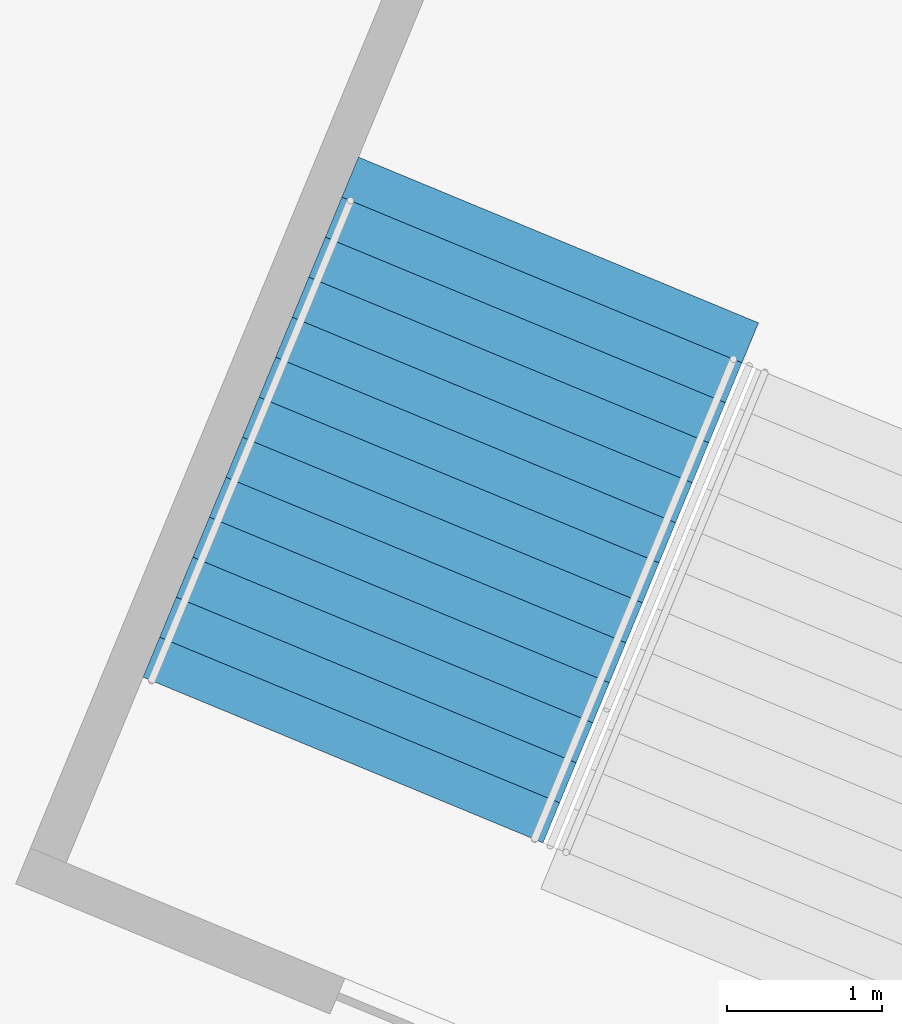
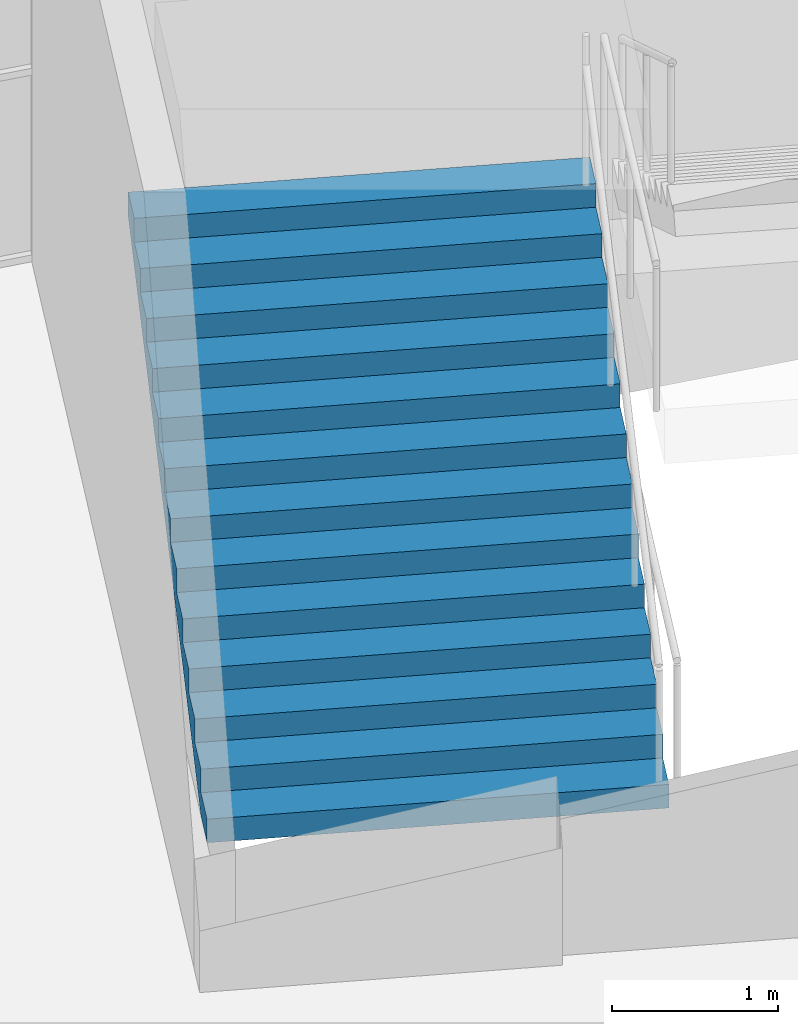
# One storey, part 229 of 249: 1 stair flight, 1 element without a shape of its own.
"""IFC4 building model written with IfcOpenShell, lengths in metres."""

from ifc_helpers import new_model, si_unit, direction, frame, origin, place, context, subcontext, project, spatial, faceted_brep, material, type_object, element, aggregate, save


model = new_model("IFC4")

# Units and contexts
model_context = context("Model", 3, precision=1e-05, world=origin(), true_north=direction((0.0, 1.0)))
body_context = subcontext(model_context, "Body", "Model", "MODEL_VIEW")
ifc_project = project(units=[si_unit("LENGTHUNIT", "METRE"), si_unit("AREAUNIT", "SQUARE_METRE"), si_unit("VOLUMEUNIT", "CUBIC_METRE"), si_unit("PLANEANGLEUNIT", "RADIAN"), si_unit("MASSUNIT", "GRAM", prefix="KILO")], contexts=[model_context])

# Site, building, storey
site_placement = place(None, origin())
site = spatial("IfcSite", under=ifc_project, at=site_placement, CompositionType="ELEMENT")
building_placement = place(site_placement, origin())
building = spatial("IfcBuilding", under=site, at=building_placement, Name="Ogive Plaza Stadium", CompositionType="ELEMENT")
storey_placement = place(building_placement, frame((0.0, 0.0, 13.5)))
storey = spatial("IfcBuildingStorey", under=building, at=storey_placement, Name="L03", CompositionType="ELEMENT", Elevation=13.5)

# Stair, stair flight
ifc_material_1 = material(Name="Concrete C40/50", Category="concrete")
stair_type = type_object("IfcStairType", Name="Exit stair", PredefinedType="STRAIGHT_RUN_STAIR", material=ifc_material_1)
stair_placement = place(storey_placement, origin())
stair = element("IfcStair", 1, at=stair_placement, inside=storey, type_object=stair_type, Name="Exit stair ST38B L03 to L04", PredefinedType="STRAIGHT_RUN_STAIR")
ifc_material_2 = material(Name="Concrete C40/50", Category="concrete")
stair_flight_type = type_object("IfcStairFlightType", Name="Exit stair flight", PredefinedType="STRAIGHT", material=ifc_material_2)
stair_flight_placement = place(storey_placement, frame((46.118408203125, 93.319580078125, 0.0), z_axis=(0.0, 0.0, 1.0), x_axis=(0.382683432365, 0.923879532511, 0.0)))
stair_flight = element("IfcStairFlight", 2, at=stair_flight_placement, type_object=stair_flight_type, Name="ST38B flight 1", NumberOfRisers=13, NumberOfTreads=12, PredefinedType="STRAIGHT", RiserHeight=0.173076923, TreadLength=0.28, context=body_context, shape_type="Brep", body=[
    faceted_brep([(0.28515625, -1.39990234375, 0.0), (3.639892578125, -1.39990234375, 2.07373046875), (3.639892578125, -1.39990234375, 2.25), (3.360107421875, -1.39990234375, 2.25), (3.360107421875, -1.39990234375, 2.076904296875), (3.080078125, -1.39990234375, 2.076904296875), (3.080078125, -1.39990234375, 1.90380859375), (2.800048828125, -1.39990234375, 1.90380859375), (2.800048828125, -1.39990234375, 1.730712890625), (2.52001953125, -1.39990234375, 1.730712890625), (2.52001953125, -1.39990234375, 1.5576171875), (2.239990234375, -1.39990234375, 1.5576171875), (2.239990234375, -1.39990234375, 1.384521484375), (1.9599609375, -1.39990234375, 1.384521484375), (1.9599609375, -1.39990234375, 1.21142578125), (1.679931640625, -1.39990234375, 1.21142578125), (1.679931640625, -1.39990234375, 1.03857421875), (1.39990234375, -1.39990234375, 1.03857421875), (1.39990234375, -1.39990234375, 0.865478515625), (1.1201171875, -1.39990234375, 0.865478515625), (1.1201171875, -1.39990234375, 0.6923828125), (0.840087890625, -1.39990234375, 0.6923828125), (0.840087890625, -1.39990234375, 0.519287109375), (0.56005859375, -1.39990234375, 0.519287109375), (0.56005859375, -1.39990234375, 0.34619140625), (0.280029296875, -1.39990234375, 0.34619140625), (0.280029296875, -1.39990234375, 0.173095703125), (0.0, -1.39990234375, 0.173095703125), (0.0, -1.39990234375, 0.0), (0.0, 1.39990234375, 0.0), (0.0, 1.39990234375, 0.173095703125), (0.280029296875, 1.39990234375, 0.173095703125), (0.280029296875, 1.39990234375, 0.34619140625), (0.56005859375, 1.39990234375, 0.34619140625), (0.56005859375, 1.39990234375, 0.519287109375), (0.840087890625, 1.39990234375, 0.519287109375), (0.840087890625, 1.39990234375, 0.6923828125), (1.1201171875, 1.39990234375, 0.6923828125), (1.1201171875, 1.39990234375, 0.865478515625), (1.39990234375, 1.39990234375, 0.865478515625), (1.39990234375, 1.39990234375, 1.03857421875), (1.679931640625, 1.39990234375, 1.03857421875), (1.679931640625, 1.39990234375, 1.21142578125), (1.9599609375, 1.39990234375, 1.21142578125), (1.9599609375, 1.39990234375, 1.384521484375), (2.239990234375, 1.39990234375, 1.384521484375), (2.239990234375, 1.39990234375, 1.5576171875), (2.52001953125, 1.39990234375, 1.5576171875), (2.52001953125, 1.39990234375, 1.730712890625), (2.800048828125, 1.39990234375, 1.730712890625), (2.800048828125, 1.39990234375, 1.90380859375), (3.080078125, 1.39990234375, 1.90380859375), (3.080078125, 1.39990234375, 2.076904296875), (3.360107421875, 1.39990234375, 2.076904296875), (3.360107421875, 1.39990234375, 2.25), (3.639892578125, 1.39990234375, 2.25), (3.639892578125, 1.39990234375, 2.07373046875), (0.28515625, 1.39990234375, 0.0), (0.28515625, -1.0888671875, 0.0), (3.639892578125, -1.0888671875, 2.07373046875), (0.28515625, -0.77783203125, 0.0), (3.639892578125, -0.77783203125, 2.07373046875), (0.28515625, -0.466796875, 0.0), (3.639892578125, -0.466796875, 2.07373046875), (0.28515625, -0.155517578125, 0.0), (3.639892578125, -0.155517578125, 2.07373046875), (0.28515625, 0.155517578125, 0.0), (3.639892578125, 0.155517578125, 2.07373046875), (0.28515625, 0.466796875, 0.0), (3.639892578125, 0.466796875, 2.07373046875), (0.28515625, 0.77783203125, 0.0), (3.639892578125, 0.77783203125, 2.07373046875), (0.28515625, 1.0888671875, 0.0), (3.639892578125, 1.0888671875, 2.07373046875), (3.639892578125, -1.0888671875, 2.25), (3.639892578125, -0.77783203125, 2.25), (3.639892578125, -0.466796875, 2.25), (3.639892578125, -0.155517578125, 2.25), (3.639892578125, 0.155517578125, 2.25), (3.639892578125, 0.466796875, 2.25), (3.639892578125, 0.77783203125, 2.25), (3.639892578125, 1.0888671875, 2.25), (3.360107421875, -1.0888671875, 2.25), (3.360107421875, -0.77783203125, 2.25), (3.360107421875, -0.466796875, 2.25), (3.360107421875, -0.155517578125, 2.25), (3.360107421875, 0.155517578125, 2.25), (3.360107421875, 0.466796875, 2.25), (3.360107421875, 0.77783203125, 2.25), (3.360107421875, 1.0888671875, 2.25), (3.360107421875, -1.0888671875, 2.076904296875), (3.360107421875, -0.77783203125, 2.076904296875), (3.360107421875, -0.466796875, 2.076904296875), (3.360107421875, -0.155517578125, 2.076904296875), (3.360107421875, 0.155517578125, 2.076904296875), (3.360107421875, 0.466796875, 2.076904296875), (3.360107421875, 0.77783203125, 2.076904296875), (3.360107421875, 1.0888671875, 2.076904296875), (3.080078125, -1.0888671875, 2.076904296875), (3.080078125, -0.77783203125, 2.076904296875), (3.080078125, -0.466796875, 2.076904296875), (3.080078125, -0.155517578125, 2.076904296875), (3.080078125, 0.155517578125, 2.076904296875), (3.080078125, 0.466796875, 2.076904296875), (3.080078125, 0.77783203125, 2.076904296875), (3.080078125, 1.0888671875, 2.076904296875), (3.080078125, -1.0888671875, 1.90380859375), (3.080078125, -0.77783203125, 1.90380859375), (3.080078125, -0.466796875, 1.90380859375), (3.080078125, -0.155517578125, 1.90380859375), (3.080078125, 0.155517578125, 1.90380859375), (3.080078125, 0.466796875, 1.90380859375), (3.080078125, 0.77783203125, 1.90380859375), (3.080078125, 1.0888671875, 1.90380859375), (2.800048828125, -1.0888671875, 1.90380859375), (2.800048828125, -0.77783203125, 1.90380859375), (2.800048828125, -0.466796875, 1.90380859375), (2.800048828125, -0.155517578125, 1.90380859375), (2.800048828125, 0.155517578125, 1.90380859375), (2.800048828125, 0.466796875, 1.90380859375), (2.800048828125, 0.77783203125, 1.90380859375), (2.800048828125, 1.0888671875, 1.90380859375), (2.800048828125, -1.0888671875, 1.730712890625), (2.800048828125, -0.77783203125, 1.730712890625), (2.800048828125, -0.466796875, 1.730712890625), (2.800048828125, -0.155517578125, 1.730712890625), (2.800048828125, 0.155517578125, 1.730712890625), (2.800048828125, 0.466796875, 1.730712890625), (2.800048828125, 0.77783203125, 1.730712890625), (2.800048828125, 1.0888671875, 1.730712890625), (2.52001953125, -1.0888671875, 1.730712890625), (2.52001953125, -0.77783203125, 1.730712890625), (2.52001953125, -0.466796875, 1.730712890625), (2.52001953125, -0.155517578125, 1.730712890625), (2.52001953125, 0.155517578125, 1.730712890625), (2.52001953125, 0.466796875, 1.730712890625), (2.52001953125, 0.77783203125, 1.730712890625), (2.52001953125, 1.0888671875, 1.730712890625), (2.52001953125, -1.0888671875, 1.5576171875), (2.52001953125, -0.77783203125, 1.5576171875), (2.52001953125, -0.466796875, 1.5576171875), (2.52001953125, -0.155517578125, 1.5576171875), (2.52001953125, 0.155517578125, 1.5576171875), (2.52001953125, 0.466796875, 1.5576171875), (2.52001953125, 0.77783203125, 1.5576171875), (2.52001953125, 1.0888671875, 1.5576171875), (2.239990234375, -1.0888671875, 1.5576171875), (2.239990234375, -0.77783203125, 1.5576171875), (2.239990234375, -0.466796875, 1.5576171875), (2.239990234375, -0.155517578125, 1.5576171875), (2.239990234375, 0.155517578125, 1.5576171875), (2.239990234375, 0.466796875, 1.5576171875), (2.239990234375, 0.77783203125, 1.5576171875), (2.239990234375, 1.0888671875, 1.5576171875), (2.239990234375, -1.0888671875, 1.384521484375), (2.239990234375, -0.77783203125, 1.384521484375), (2.239990234375, -0.466796875, 1.384521484375), (2.239990234375, -0.155517578125, 1.384521484375), (2.239990234375, 0.155517578125, 1.384521484375), (2.239990234375, 0.466796875, 1.384521484375), (2.239990234375, 0.77783203125, 1.384521484375), (2.239990234375, 1.0888671875, 1.384521484375), (1.9599609375, -1.0888671875, 1.384521484375), (1.9599609375, -0.77783203125, 1.384521484375), (1.9599609375, -0.466796875, 1.384521484375), (1.9599609375, -0.155517578125, 1.384521484375), (1.9599609375, 0.155517578125, 1.384521484375), (1.9599609375, 0.466796875, 1.384521484375), (1.9599609375, 0.77783203125, 1.384521484375), (1.9599609375, 1.0888671875, 1.384521484375), (1.9599609375, -1.0888671875, 1.21142578125), (1.9599609375, -0.77783203125, 1.21142578125), (1.9599609375, -0.466796875, 1.21142578125), (1.9599609375, -0.155517578125, 1.21142578125), (1.9599609375, 0.155517578125, 1.21142578125), (1.9599609375, 0.466796875, 1.21142578125), (1.9599609375, 0.77783203125, 1.21142578125), (1.9599609375, 1.0888671875, 1.21142578125), (1.679931640625, -1.0888671875, 1.21142578125), (1.679931640625, -0.77783203125, 1.21142578125), (1.679931640625, -0.466796875, 1.21142578125), (1.679931640625, -0.155517578125, 1.21142578125), (1.679931640625, 0.155517578125, 1.21142578125), (1.679931640625, 0.466796875, 1.21142578125), (1.679931640625, 0.77783203125, 1.21142578125), (1.679931640625, 1.0888671875, 1.21142578125), (1.679931640625, -1.0888671875, 1.03857421875), (1.679931640625, -0.77783203125, 1.03857421875), (1.679931640625, -0.466796875, 1.03857421875), (1.679931640625, -0.155517578125, 1.03857421875), (1.679931640625, 0.155517578125, 1.03857421875), (1.679931640625, 0.466796875, 1.03857421875), (1.679931640625, 0.77783203125, 1.03857421875), (1.679931640625, 1.0888671875, 1.03857421875), (1.39990234375, -1.0888671875, 1.03857421875), (1.39990234375, -0.77783203125, 1.03857421875), (1.39990234375, -0.466796875, 1.03857421875), (1.39990234375, -0.155517578125, 1.03857421875), (1.39990234375, 0.155517578125, 1.03857421875), (1.39990234375, 0.466796875, 1.03857421875), (1.39990234375, 0.77783203125, 1.03857421875), (1.39990234375, 1.0888671875, 1.03857421875), (1.39990234375, -1.0888671875, 0.865478515625), (1.39990234375, -0.77783203125, 0.865478515625), (1.39990234375, -0.466796875, 0.865478515625), (1.39990234375, -0.155517578125, 0.865478515625), (1.39990234375, 0.155517578125, 0.865478515625), (1.39990234375, 0.466796875, 0.865478515625), (1.39990234375, 0.77783203125, 0.865478515625), (1.39990234375, 1.0888671875, 0.865478515625), (1.1201171875, -1.0888671875, 0.865478515625), (1.1201171875, -0.77783203125, 0.865478515625), (1.1201171875, -0.466796875, 0.865478515625), (1.1201171875, -0.155517578125, 0.865478515625), (1.1201171875, 0.155517578125, 0.865478515625), (1.1201171875, 0.466796875, 0.865478515625), (1.1201171875, 0.77783203125, 0.865478515625), (1.1201171875, 1.0888671875, 0.865478515625), (1.1201171875, -1.0888671875, 0.6923828125), (1.1201171875, -0.77783203125, 0.6923828125), (1.1201171875, -0.466796875, 0.6923828125), (1.1201171875, -0.155517578125, 0.6923828125), (1.1201171875, 0.155517578125, 0.6923828125), (1.1201171875, 0.466796875, 0.6923828125), (1.1201171875, 0.77783203125, 0.6923828125), (1.1201171875, 1.0888671875, 0.6923828125), (0.840087890625, -1.0888671875, 0.6923828125), (0.840087890625, -0.77783203125, 0.6923828125), (0.840087890625, -0.466796875, 0.6923828125), (0.840087890625, -0.155517578125, 0.6923828125), (0.840087890625, 0.155517578125, 0.6923828125), (0.840087890625, 0.466796875, 0.6923828125), (0.840087890625, 0.77783203125, 0.6923828125), (0.840087890625, 1.0888671875, 0.6923828125), (0.840087890625, -1.0888671875, 0.519287109375), (0.840087890625, -0.77783203125, 0.519287109375), (0.840087890625, -0.466796875, 0.519287109375), (0.840087890625, -0.155517578125, 0.519287109375), (0.840087890625, 0.155517578125, 0.519287109375), (0.840087890625, 0.466796875, 0.519287109375), (0.840087890625, 0.77783203125, 0.519287109375), (0.840087890625, 1.0888671875, 0.519287109375), (0.56005859375, -1.0888671875, 0.519287109375), (0.56005859375, -0.77783203125, 0.519287109375), (0.56005859375, -0.466796875, 0.519287109375), (0.56005859375, -0.155517578125, 0.519287109375), (0.56005859375, 0.155517578125, 0.519287109375), (0.56005859375, 0.466796875, 0.519287109375), (0.56005859375, 0.77783203125, 0.519287109375), (0.56005859375, 1.0888671875, 0.519287109375), (0.56005859375, -1.0888671875, 0.34619140625), (0.56005859375, -0.77783203125, 0.34619140625), (0.56005859375, -0.466796875, 0.34619140625), (0.56005859375, -0.155517578125, 0.34619140625), (0.56005859375, 0.155517578125, 0.34619140625), (0.56005859375, 0.466796875, 0.34619140625), (0.56005859375, 0.77783203125, 0.34619140625), (0.56005859375, 1.0888671875, 0.34619140625), (0.280029296875, -1.0888671875, 0.34619140625), (0.280029296875, -0.77783203125, 0.34619140625), (0.280029296875, -0.466796875, 0.34619140625), (0.280029296875, -0.155517578125, 0.34619140625), (0.280029296875, 0.155517578125, 0.34619140625), (0.280029296875, 0.466796875, 0.34619140625), (0.280029296875, 0.77783203125, 0.34619140625), (0.280029296875, 1.0888671875, 0.34619140625), (0.280029296875, -1.0888671875, 0.173095703125), (0.280029296875, -0.77783203125, 0.173095703125), (0.280029296875, -0.466796875, 0.173095703125), (0.280029296875, -0.155517578125, 0.173095703125), (0.280029296875, 0.155517578125, 0.173095703125), (0.280029296875, 0.466796875, 0.173095703125), (0.280029296875, 0.77783203125, 0.173095703125), (0.280029296875, 1.0888671875, 0.173095703125), (0.0, -1.0888671875, 0.173095703125), (0.0, -0.77783203125, 0.173095703125), (0.0, -0.466796875, 0.173095703125), (0.0, -0.155517578125, 0.173095703125), (0.0, 0.155517578125, 0.173095703125), (0.0, 0.466796875, 0.173095703125), (0.0, 0.77783203125, 0.173095703125), (0.0, 1.0888671875, 0.173095703125), (0.0, -1.0888671875, 0.0), (0.0, -0.77783203125, 0.0), (0.0, -0.466796875, 0.0), (0.0, -0.155517578125, 0.0), (0.0, 0.155517578125, 0.0), (0.0, 0.466796875, 0.0), (0.0, 0.77783203125, 0.0), (0.0, 1.0888671875, 0.0)], [[[0, 1, 2, 3, 4, 5, 6, 7, 8, 9, 10, 11, 12, 13, 14, 15, 16, 17, 18, 19, 20, 21, 22, 23, 24, 25, 26, 27, 28]], [[29, 30, 31, 32, 33, 34, 35, 36, 37, 38, 39, 40, 41, 42, 43, 44, 45, 46, 47, 48, 49, 50, 51, 52, 53, 54, 55, 56, 57]], [[0, 58, 59, 1]], [[58, 60, 61, 59]], [[60, 62, 63, 61]], [[62, 64, 65, 63]], [[64, 66, 67, 65]], [[66, 68, 69, 67]], [[68, 70, 71, 69]], [[70, 72, 73, 71]], [[72, 57, 56, 73]], [[1, 59, 74, 2]], [[59, 61, 75, 74]], [[61, 63, 76, 75]], [[63, 65, 77, 76]], [[65, 67, 78, 77]], [[67, 69, 79, 78]], [[69, 71, 80, 79]], [[71, 73, 81, 80]], [[73, 56, 55, 81]], [[2, 74, 82, 3]], [[74, 75, 83, 82]], [[75, 76, 84, 83]], [[76, 77, 85, 84]], [[77, 78, 86, 85]], [[78, 79, 87, 86]], [[79, 80, 88, 87]], [[80, 81, 89, 88]], [[81, 55, 54, 89]], [[3, 82, 90, 4]], [[82, 83, 91, 90]], [[83, 84, 92, 91]], [[84, 85, 93, 92]], [[85, 86, 94, 93]], [[86, 87, 95, 94]], [[87, 88, 96, 95]], [[88, 89, 97, 96]], [[89, 54, 53, 97]], [[4, 90, 98, 5]], [[90, 91, 99, 98]], [[91, 92, 100, 99]], [[92, 93, 101, 100]], [[93, 94, 102, 101]], [[94, 95, 103, 102]], [[95, 96, 104, 103]], [[96, 97, 105, 104]], [[97, 53, 52, 105]], [[5, 98, 106, 6]], [[98, 99, 107, 106]], [[99, 100, 108, 107]], [[100, 101, 109, 108]], [[101, 102, 110, 109]], [[102, 103, 111, 110]], [[103, 104, 112, 111]], [[104, 105, 113, 112]], [[105, 52, 51, 113]], [[6, 106, 114, 7]], [[106, 107, 115, 114]], [[107, 108, 116, 115]], [[108, 109, 117, 116]], [[109, 110, 118, 117]], [[110, 111, 119, 118]], [[111, 112, 120, 119]], [[112, 113, 121, 120]], [[113, 51, 50, 121]], [[7, 114, 122, 8]], [[114, 115, 123, 122]], [[115, 116, 124, 123]], [[116, 117, 125, 124]], [[117, 118, 126, 125]], [[118, 119, 127, 126]], [[119, 120, 128, 127]], [[120, 121, 129, 128]], [[121, 50, 49, 129]], [[8, 122, 130, 9]], [[122, 123, 131, 130]], [[123, 124, 132, 131]], [[124, 125, 133, 132]], [[125, 126, 134, 133]], [[126, 127, 135, 134]], [[127, 128, 136, 135]], [[128, 129, 137, 136]], [[129, 49, 48, 137]], [[9, 130, 138, 10]], [[130, 131, 139, 138]], [[131, 132, 140, 139]], [[132, 133, 141, 140]], [[133, 134, 142, 141]], [[134, 135, 143, 142]], [[135, 136, 144, 143]], [[136, 137, 145, 144]], [[137, 48, 47, 145]], [[10, 138, 146, 11]], [[138, 139, 147, 146]], [[139, 140, 148, 147]], [[140, 141, 149, 148]], [[141, 142, 150, 149]], [[142, 143, 151, 150]], [[143, 144, 152, 151]], [[144, 145, 153, 152]], [[145, 47, 46, 153]], [[11, 146, 154, 12]], [[146, 147, 155, 154]], [[147, 148, 156, 155]], [[148, 149, 157, 156]], [[149, 150, 158, 157]], [[150, 151, 159, 158]], [[151, 152, 160, 159]], [[152, 153, 161, 160]], [[153, 46, 45, 161]], [[12, 154, 162, 13]], [[154, 155, 163, 162]], [[155, 156, 164, 163]], [[156, 157, 165, 164]], [[157, 158, 166, 165]], [[158, 159, 167, 166]], [[159, 160, 168, 167]], [[160, 161, 169, 168]], [[161, 45, 44, 169]], [[13, 162, 170, 14]], [[162, 163, 171, 170]], [[163, 164, 172, 171]], [[164, 165, 173, 172]], [[165, 166, 174, 173]], [[166, 167, 175, 174]], [[167, 168, 176, 175]], [[168, 169, 177, 176]], [[169, 44, 43, 177]], [[14, 170, 178, 15]], [[170, 171, 179, 178]], [[171, 172, 180, 179]], [[172, 173, 181, 180]], [[173, 174, 182, 181]], [[174, 175, 183, 182]], [[175, 176, 184, 183]], [[176, 177, 185, 184]], [[177, 43, 42, 185]], [[15, 178, 186, 16]], [[178, 179, 187, 186]], [[179, 180, 188, 187]], [[180, 181, 189, 188]], [[181, 182, 190, 189]], [[182, 183, 191, 190]], [[183, 184, 192, 191]], [[184, 185, 193, 192]], [[185, 42, 41, 193]], [[16, 186, 194, 17]], [[186, 187, 195, 194]], [[187, 188, 196, 195]], [[188, 189, 197, 196]], [[189, 190, 198, 197]], [[190, 191, 199, 198]], [[191, 192, 200, 199]], [[192, 193, 201, 200]], [[193, 41, 40, 201]], [[17, 194, 202, 18]], [[194, 195, 203, 202]], [[195, 196, 204, 203]], [[196, 197, 205, 204]], [[197, 198, 206, 205]], [[198, 199, 207, 206]], [[199, 200, 208, 207]], [[200, 201, 209, 208]], [[201, 40, 39, 209]], [[18, 202, 210, 19]], [[202, 203, 211, 210]], [[203, 204, 212, 211]], [[204, 205, 213, 212]], [[205, 206, 214, 213]], [[206, 207, 215, 214]], [[207, 208, 216, 215]], [[208, 209, 217, 216]], [[209, 39, 38, 217]], [[19, 210, 218, 20]], [[210, 211, 219, 218]], [[211, 212, 220, 219]], [[212, 213, 221, 220]], [[213, 214, 222, 221]], [[214, 215, 223, 222]], [[215, 216, 224, 223]], [[216, 217, 225, 224]], [[217, 38, 37, 225]], [[20, 218, 226, 21]], [[218, 219, 227, 226]], [[219, 220, 228, 227]], [[220, 221, 229, 228]], [[221, 222, 230, 229]], [[222, 223, 231, 230]], [[223, 224, 232, 231]], [[224, 225, 233, 232]], [[225, 37, 36, 233]], [[21, 226, 234, 22]], [[226, 227, 235, 234]], [[227, 228, 236, 235]], [[228, 229, 237, 236]], [[229, 230, 238, 237]], [[230, 231, 239, 238]], [[231, 232, 240, 239]], [[232, 233, 241, 240]], [[233, 36, 35, 241]], [[22, 234, 242, 23]], [[234, 235, 243, 242]], [[235, 236, 244, 243]], [[236, 237, 245, 244]], [[237, 238, 246, 245]], [[238, 239, 247, 246]], [[239, 240, 248, 247]], [[240, 241, 249, 248]], [[241, 35, 34, 249]], [[23, 242, 250, 24]], [[242, 243, 251, 250]], [[243, 244, 252, 251]], [[244, 245, 253, 252]], [[245, 246, 254, 253]], [[246, 247, 255, 254]], [[247, 248, 256, 255]], [[248, 249, 257, 256]], [[249, 34, 33, 257]], [[24, 250, 258, 25]], [[250, 251, 259, 258]], [[251, 252, 260, 259]], [[252, 253, 261, 260]], [[253, 254, 262, 261]], [[254, 255, 263, 262]], [[255, 256, 264, 263]], [[256, 257, 265, 264]], [[257, 33, 32, 265]], [[25, 258, 266, 26]], [[258, 259, 267, 266]], [[259, 260, 268, 267]], [[260, 261, 269, 268]], [[261, 262, 270, 269]], [[262, 263, 271, 270]], [[263, 264, 272, 271]], [[264, 265, 273, 272]], [[265, 32, 31, 273]], [[26, 266, 274, 27]], [[266, 267, 275, 274]], [[267, 268, 276, 275]], [[268, 269, 277, 276]], [[269, 270, 278, 277]], [[270, 271, 279, 278]], [[271, 272, 280, 279]], [[272, 273, 281, 280]], [[273, 31, 30, 281]], [[27, 274, 282, 28]], [[274, 275, 283, 282]], [[275, 276, 284, 283]], [[276, 277, 285, 284]], [[277, 278, 286, 285]], [[278, 279, 287, 286]], [[279, 280, 288, 287]], [[280, 281, 289, 288]], [[281, 30, 29, 289]], [[28, 282, 58, 0]], [[282, 283, 60, 58]], [[283, 284, 62, 60]], [[284, 285, 64, 62]], [[285, 286, 66, 64]], [[286, 287, 68, 66]], [[287, 288, 70, 68]], [[288, 289, 72, 70]], [[289, 29, 57, 72]]]),
])
aggregate(stair, [stair_flight])

save(model, "model.ifc")
